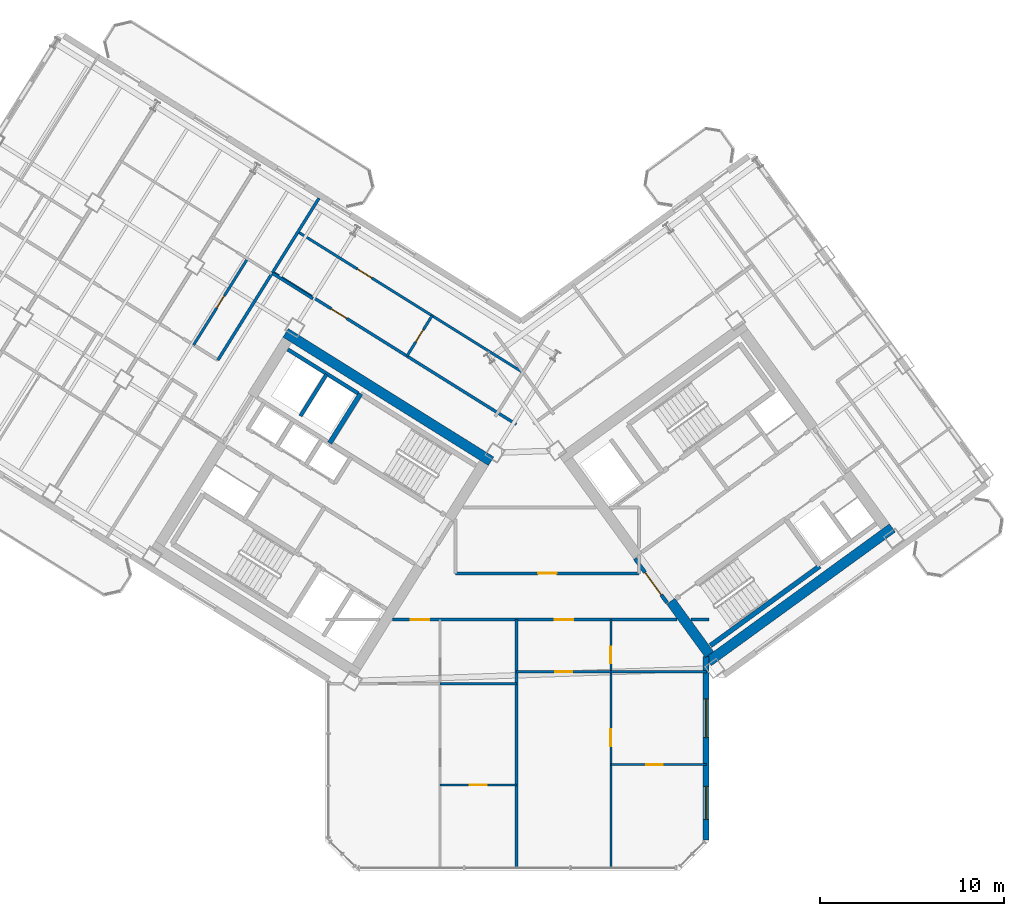
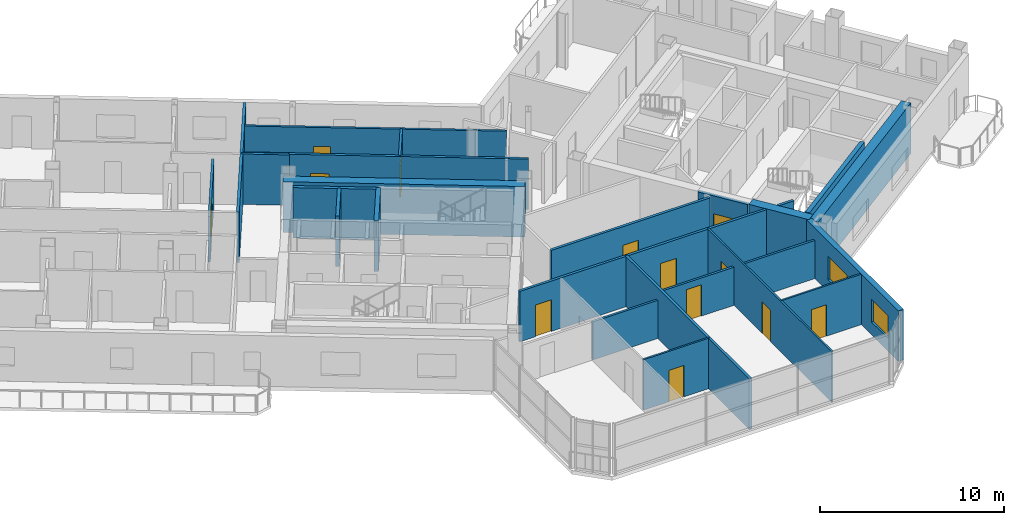
# One storey, part 13 of 20: 25 walls, 13 doors, 2 windows, 15 openings.
"""IFC4 building model written with IfcOpenShell, lengths in metres."""

from ifc_helpers import new_model, si_unit, direction, frame, frame_2d, origin, place, context, subcontext, project, spatial, rectangle, extrude, source, transform, mapped, material, layer, layer_set, type_object, element, fill, save


model = new_model("IFC4")

# Units and contexts
model_context = context("Model", 3, precision=1e-05, world=origin(), true_north=direction((0.0, 1.0)))
body_context = subcontext(model_context, "Body", "Model", "MODEL_VIEW")
ifc_project = project(units=[si_unit("LENGTHUNIT", "METRE"), si_unit("AREAUNIT", "SQUARE_METRE"), si_unit("VOLUMEUNIT", "CUBIC_METRE"), si_unit("PLANEANGLEUNIT", "RADIAN"), si_unit("MASSUNIT", "GRAM", prefix="KILO")], contexts=[model_context])

# Site, building, storey
site_placement = place(None, origin())
site = spatial("IfcSite", under=ifc_project, at=site_placement, CompositionType="ELEMENT")
building_placement = place(site_placement, origin())
building = spatial("IfcBuilding", under=site, at=building_placement, Name="Tlacorven Tower", CompositionType="ELEMENT")
storey_placement = place(building_placement, frame((0.0, 0.0, 187.800048828125)))
storey = spatial("IfcBuildingStorey", under=building, at=storey_placement, Name="L47", CompositionType="ELEMENT", Elevation=187.800048828125)

# Walls
ifc_material_1 = material(Name="Concrete C60/75", Category="concrete")
ifc_layer_1 = layer(ifc_material_1, 0.550048828125)
ifc_layer_set_1 = layer_set([ifc_layer_1], Name="Concrete C60/75")
wall_type_1 = type_object("IfcWallType", Name="WL-COR-550", PredefinedType="SHEAR", material=ifc_layer_set_1)
wall_1_placement = place(storey_placement, frame((40.572998046875, 24.010009765625, 0.0), z_axis=(0.0, 0.0, 1.0), x_axis=(-0.848047359947, 0.529920442413, 0.0)))
element("IfcWall", 1, at=wall_1_placement, inside=storey, type_object=wall_type_1, Name="L47 W core shear wall S1", PredefinedType="SHEAR", context=body_context, shape_type="SweptSolid", body=[
    extrude(rectangle(XDim=13.139892578125, YDim=0.550048828125, at=frame_2d((6.56982421875, 0.0))), origin(), (0.0, 0.0, 1.0), 3.349853515625),
])
wall_2_placement = place(storey_placement, frame((52.35888671875, 13.1396484375, 0.0), z_axis=(0.0, 0.0, 1.0), x_axis=(0.809014896919, 0.587788139183, 0.0)))
element("IfcWall", 2, at=wall_2_placement, inside=storey, type_object=wall_type_1, Name="L47 E core shear wall S1", PredefinedType="SHEAR", context=body_context, shape_type="SweptSolid", body=[
    extrude(rectangle(XDim=12.340087890625, YDim=0.550048828125, at=frame_2d((6.169921875, 0.0))), origin(), (0.0, 0.0, 1.0), 3.349853515625),
])
wall_3_placement = place(storey_placement, frame((52.419677734375, 13.52392578125, 0.0), z_axis=(0.0, 0.0, 1.0), x_axis=(-0.587802113096, 0.809004744015, 0.0)))
element("IfcWall", 3, at=wall_3_placement, inside=storey, type_object=wall_type_1, Name="L47 E core end wall E1.1", PredefinedType="SHEAR", context=body_context, shape_type="SweptSolid", body=[
    extrude(rectangle(XDim=3.574951171875, YDim=0.550048828125, at=frame_2d((1.78759765625, 0.0))), origin(), (0.0, 0.0, 1.0), 3.349853515625),
])
ifc_material_2 = material(Name="Gypsum plasterboard acoustic partition", Category="gypsum")
ifc_layer_2 = layer(ifc_material_2, 0.159912109375)
ifc_layer_set_2 = layer_set([ifc_layer_2], Name="Gypsum plasterboard acoustic partition")
wall_type_2 = type_object("IfcWallType", Name="WL-DEM-160", PredefinedType="PARTITIONING", material=ifc_layer_set_2)
wall_4_placement = place(storey_placement, frame((30.91357421875, 32.82861328125, 0.0), z_axis=(0.0, 0.0, 1.0), x_axis=(-0.848008813643, 0.529982124211, 0.0)))
element("IfcWall", 4, at=wall_4_placement, inside=storey, type_object=wall_type_2, Name="L47 partition 43", PredefinedType="PARTITIONING", context=body_context, shape_type="SweptSolid", body=[
    extrude(rectangle(XDim=2.610107421875, YDim=0.159912109375, at=frame_2d((1.30517578125, 0.0))), origin(), (0.0, 0.0, 1.0), 3.33984375),
])
wall_5_placement = place(storey_placement, frame((31.238525390625, 38.27392578125, 0.0), z_axis=(0.0, 0.0, 1.0), x_axis=(-0.529914125013, -0.848051307476, 0.0)))
element("IfcWall", 5, at=wall_5_placement, inside=storey, type_object=wall_type_2, Name="L47 partition 45", PredefinedType="PARTITIONING", context=body_context, shape_type="SweptSolid", body=[
    extrude(rectangle(XDim=10.35009765625, YDim=0.159912109375, at=frame_2d((5.175048828125, 0.0))), origin(), (0.0, 0.0, 1.0), 3.33984375),
])

# Wall, opening, door
wall_6_placement = place(storey_placement, frame((41.93603515625, 26.011962890625, 0.0), z_axis=(0.0, 0.0, 1.0), x_axis=(-0.848051154596, 0.529914369676, 0.0)))
wall_6 = element("IfcWall", 6, at=wall_6_placement, inside=storey, type_object=wall_type_2, Name="L47 partition 66", PredefinedType="PARTITIONING", context=body_context, shape_type="SweptSolid", body=[
    extrude(rectangle(XDim=15.56982421875, YDim=0.159912109375, at=frame_2d((7.784912109375, 0.0))), origin(), (0.0, 0.0, 1.0), 3.33984375),
])
opening_1_placement = place(wall_6_placement, frame((10.830078125, 0.0, 0.0)))
opening_1 = element("IfcOpeningElement", 7, at=opening_1_placement, cuts=wall_6, Name="Opening D11", PredefinedType="OPENING", context=body_context, shape_type="SweptSolid", body=[
    extrude(rectangle(XDim=1.0, YDim=2.10009765625, at=frame_2d((0.5, 1.050048828125))), frame((0.0, 0.08984375, 0.0), z_axis=(0.0, -1.0, 0.0), x_axis=(1.0, 0.0, 0.0)), (0.0, 0.0, 1.0), 0.179931640625),
])
ifc_material_3 = material(Name="Fire-rated steel door assembly", Category="steel")
door_type_1 = type_object("IfcDoorType", Name="DR-FLT-FD60-1000", OperationType="NOTDEFINED", PredefinedType="DOOR", material=ifc_material_3)
shared_shape_1 = source(origin(), body_context, "Body", "SweptSolid", [
    extrude(rectangle(XDim=1.0, YDim=2.10009765625, at=frame_2d((0.5, 1.050048828125))), frame((0.0, 0.02490234375, 0.0), z_axis=(0.0, -1.0, 0.0), x_axis=(1.0, 0.0, 0.0)), (0.0, 0.0, 1.0), 0.050048828125),
])
door_1_placement = place(opening_1_placement, origin())
door_1 = element("IfcDoor", 8, at=door_1_placement, inside=storey, type_object=door_type_1, Name="L47 door 040", OperationType="SINGLE_SWING_RIGHT", OverallHeight=2.10009765625, OverallWidth=1.0, PredefinedType="DOOR", context=body_context, shape_type="MappedRepresentation", body=[
    mapped(shared_shape_1, transform((0.0, 0.0, 0.0), scale=1.0)),
])
fill(opening_1, door_1)

# Wall, openings, doors
wall_7_placement = place(storey_placement, frame((35.2373046875, 15.419921875, 0.0), z_axis=(0.0, 0.0, 1.0), x_axis=(1.0, 0.0, 0.0)))
wall_7 = element("IfcWall", 9, at=wall_7_placement, inside=storey, type_object=wall_type_2, Name="L47 Knuckle Corridor South Wall", PredefinedType="PARTITIONING", context=body_context, shape_type="SweptSolid", body=[
    extrude(rectangle(XDim=15.431640625, YDim=0.159912109375, at=frame_2d((7.7158203125, 0.0))), origin(), (0.0, 0.0, 1.0), 3.33984375),
])
opening_2_placement = place(wall_7_placement, frame((0.968994140625, 0.0, 0.0)))
opening_2 = element("IfcOpeningElement", 10, at=opening_2_placement, cuts=wall_7, Name="Opening D11", PredefinedType="OPENING", context=body_context, shape_type="SweptSolid", body=[
    extrude(rectangle(XDim=1.0, YDim=2.10009765625, at=frame_2d((0.5, 1.050048828125))), frame((0.0, 0.08984375, 0.0), z_axis=(0.0, -1.0, 0.0), x_axis=(1.0, 0.0, 0.0)), (0.0, 0.0, 1.0), 0.179931640625),
])
opening_3_placement = place(wall_7_placement, frame((8.798583984375, 0.0, 0.0)))
opening_3 = element("IfcOpeningElement", 11, at=opening_3_placement, cuts=wall_7, Name="Opening D11", PredefinedType="OPENING", context=body_context, shape_type="SweptSolid", body=[
    extrude(rectangle(XDim=1.0, YDim=2.10009765625, at=frame_2d((0.5, 1.050048828125))), frame((0.0, 0.08984375, 0.0), z_axis=(0.0, -1.0, 0.0), x_axis=(1.0, 0.0, 0.0)), (0.0, 0.0, 1.0), 0.179931640625),
])
door_2_placement = place(opening_2_placement, frame((1.0, 0.0, 0.0), z_axis=(0.0, 0.0, 1.0), x_axis=(-1.0, 0.0, 0.0)))
door_2 = element("IfcDoor", 12, at=door_2_placement, inside=storey, type_object=door_type_1, Name="L47 door 048", OperationType="SINGLE_SWING_RIGHT", OverallHeight=2.10009765625, OverallWidth=1.0, PredefinedType="DOOR", context=body_context, shape_type="MappedRepresentation", body=[
    mapped(shared_shape_1, transform((0.0, 0.0, 0.0), scale=1.0)),
])
fill(opening_2, door_2)
door_3_placement = place(opening_3_placement, frame((1.0, 0.0, 0.0), z_axis=(0.0, 0.0, 1.0), x_axis=(-1.0, 0.0, 0.0)))
door_3 = element("IfcDoor", 13, at=door_3_placement, inside=storey, type_object=door_type_1, Name="L47 door 053", OperationType="SINGLE_SWING_LEFT", OverallHeight=2.10009765625, OverallWidth=1.0, PredefinedType="DOOR", context=body_context, shape_type="MappedRepresentation", body=[
    mapped(shared_shape_1, transform((0.0, 0.0, 0.0), scale=1.0)),
])
fill(opening_3, door_3)

# Wall
wall_8_placement = place(storey_placement, frame((51.41552734375, 15.419921875, 0.0), z_axis=(0.0, 0.0, 1.0), x_axis=(1.0, 0.0, 0.0)))
element("IfcWall", 14, at=wall_8_placement, inside=storey, type_object=wall_type_2, Name="L47 Knuckle Corridor South Wall", PredefinedType="PARTITIONING", context=body_context, shape_type="SweptSolid", body=[
    extrude(rectangle(XDim=0.984375, YDim=0.159912109375, at=frame_2d((0.4921875, 0.0))), origin(), (0.0, 0.0, 1.0), 3.33984375),
])

# Wall, opening, door
wall_9_placement = place(storey_placement, frame((38.64990234375, 17.929931640625, 0.0), z_axis=(0.0, 0.0, 1.0), x_axis=(1.0, 0.0, 0.0)))
wall_9 = element("IfcWall", 15, at=wall_9_placement, inside=storey, type_object=wall_type_2, Name="L47 partition 72", PredefinedType="PARTITIONING", context=body_context, shape_type="SweptSolid", body=[
    extrude(rectangle(XDim=9.9501953125, YDim=0.159912109375, at=frame_2d((4.97509765625, 0.0))), origin(), (0.0, 0.0, 1.0), 3.33984375),
])
opening_4_placement = place(wall_9_placement, frame((4.47509765625, 0.0, 0.0)))
opening_4 = element("IfcOpeningElement", 16, at=opening_4_placement, cuts=wall_9, Name="Opening D11", PredefinedType="OPENING", context=body_context, shape_type="SweptSolid", body=[
    extrude(rectangle(XDim=1.0, YDim=2.10009765625, at=frame_2d((0.5, 1.050048828125))), frame((0.0, 0.08984375, 0.0), z_axis=(0.0, -1.0, 0.0), x_axis=(1.0, 0.0, 0.0)), (0.0, 0.0, 1.0), 0.179931640625),
])
door_4_placement = place(opening_4_placement, origin())
door_4 = element("IfcDoor", 17, at=door_4_placement, inside=storey, type_object=door_type_1, Name="L47 door 043", OperationType="SINGLE_SWING_LEFT", OverallHeight=2.10009765625, OverallWidth=1.0, PredefinedType="DOOR", context=body_context, shape_type="MappedRepresentation", body=[
    mapped(shared_shape_1, transform((0.0, 0.0, 0.0), scale=1.0)),
])
fill(opening_4, door_4)

# Wall
wall_10_placement = place(storey_placement, frame((41.949951171875, 1.9599609375, 0.0), z_axis=(0.0, 0.0, 1.0), x_axis=(0.0, 1.0, 0.0)))
element("IfcWall", 18, at=wall_10_placement, inside=storey, type_object=wall_type_2, Name="L47 Knuckle Demising Wall 1", PredefinedType="PARTITIONING", context=body_context, shape_type="SweptSolid", body=[
    extrude(rectangle(XDim=13.4599609375, YDim=0.159912109375, at=frame_2d((6.72998046875, 0.0))), origin(), (0.0, 0.0, 1.0), 3.33984375),
])

# Wall, openings, windows
ifc_material_4 = material(Name="Precast concrete C45/55", Category="concrete")
ifc_layer_3 = layer(ifc_material_4, 0.320068359375)
ifc_layer_set_3 = layer_set([ifc_layer_3], Name="Precast concrete C45/55")
wall_type_3 = type_object("IfcWallType", Name="WL-EXT-320", PredefinedType="STANDARD", material=ifc_layer_set_3)
wall_11_placement = place(storey_placement, frame((52.239990234375, 13.4140625, 0.0), z_axis=(0.0, 0.0, 1.0), x_axis=(0.0, -1.0, 0.0)))
wall_11 = element("IfcWall", 19, at=wall_11_placement, inside=storey, type_object=wall_type_3, Name="L47 Masonry-Frame Recessed Facade Wall 7", PredefinedType="STANDARD", context=body_context, shape_type="SweptSolid", body=[
    extrude(rectangle(XDim=9.94775390625, YDim=0.320068359375, at=frame_2d((4.973876953125, 0.0))), origin(), (0.0, 0.0, 1.0), 3.349853515625),
])
opening_5_placement = place(wall_11_placement, frame((2.29638671875, 0.0, 0.800048828125)))
opening_5 = element("IfcOpeningElement", 20, at=opening_5_placement, cuts=wall_11, Name="Opening WN04", PredefinedType="OPENING", context=body_context, shape_type="SweptSolid", body=[
    extrude(rectangle(XDim=2.10009765625, YDim=1.550048828125, at=frame_2d((1.050048828125, 0.77490234375))), frame((0.0, 0.169921875, 0.0), z_axis=(0.0, -1.0, 0.0), x_axis=(1.0, 0.0, 0.0)), (0.0, 0.0, 1.0), 0.340087890625),
])
opening_6_placement = place(wall_11_placement, frame((7.033447265625, 0.0, 0.85009765625)))
opening_6 = element("IfcOpeningElement", 21, at=opening_6_placement, cuts=wall_11, Name="Opening WN01", PredefinedType="OPENING", context=body_context, shape_type="SweptSolid", body=[
    extrude(rectangle(XDim=1.800048828125, YDim=1.5, at=frame_2d((0.89990234375, 0.75))), frame((0.0, 0.169921875, 0.0), z_axis=(0.0, -1.0, 0.0), x_axis=(1.0, 0.0, 0.0)), (0.0, 0.0, 1.0), 0.340087890625),
])
ifc_material_5 = material(Name="Dark solar low-E double glazing in anodised aluminium frame", Category="aluminium")
window_type_1 = type_object("IfcWindowType", Name="WN-APT-2100X1750", PartitioningType="SINGLE_PANEL", PredefinedType="WINDOW", material=ifc_material_5)
shared_shape_2 = source(origin(), body_context, "Body", "SweptSolid", [
    extrude(rectangle(XDim=2.10009765625, YDim=1.550048828125, at=frame_2d((1.050048828125, 0.77490234375))), frame((0.0, 0.030029296875, 0.0), z_axis=(0.0, -1.0, 0.0), x_axis=(1.0, 0.0, 0.0)), (0.0, 0.0, 1.0), 0.06005859375),
])
window_1_placement = place(opening_5_placement, origin())
window_1 = element("IfcWindow", 22, at=window_1_placement, inside=storey, type_object=window_type_1, Name="L47 Recessed Masonry-Frame Window L47-07.1", OverallHeight=1.550048828125, OverallWidth=2.10009765625, PartitioningType="SINGLE_PANEL", PredefinedType="WINDOW", context=body_context, shape_type="MappedRepresentation", body=[
    mapped(shared_shape_2, transform((0.0, 0.0, 0.0), scale=1.0)),
])
fill(opening_5, window_1)
window_type_2 = type_object("IfcWindowType", Name="WN-APT-1800X1650", PartitioningType="SINGLE_PANEL", PredefinedType="WINDOW", material=ifc_material_5)
shared_shape_3 = source(origin(), body_context, "Body", "SweptSolid", [
    extrude(rectangle(XDim=1.800048828125, YDim=1.5, at=frame_2d((0.89990234375, 0.75))), frame((0.0, 0.030029296875, 0.0), z_axis=(0.0, -1.0, 0.0), x_axis=(1.0, 0.0, 0.0)), (0.0, 0.0, 1.0), 0.06005859375),
])
window_2_placement = place(opening_6_placement, origin())
window_2 = element("IfcWindow", 23, at=window_2_placement, inside=storey, type_object=window_type_2, Name="L47 Recessed Masonry-Frame Window L47-07.2", OverallHeight=1.5, OverallWidth=1.800048828125, PartitioningType="SINGLE_PANEL", PredefinedType="WINDOW", context=body_context, shape_type="MappedRepresentation", body=[
    mapped(shared_shape_3, transform((0.0, 0.0, 0.0), scale=1.0)),
])
fill(opening_6, window_2)

# Wall, opening, door
ifc_material_6 = material(Name="Gypsum plasterboard partition", Category="gypsum")
ifc_layer_4 = layer(ifc_material_6, 0.110107421875)
ifc_layer_set_4 = layer_set([ifc_layer_4], Name="Gypsum plasterboard partition")
wall_type_4 = type_object("IfcWallType", Name="WL-INT-110", PredefinedType="PARTITIONING", material=ifc_layer_set_4)
wall_12_placement = place(storey_placement, frame((37.81298828125, 6.449951171875, 0.0), z_axis=(0.0, 0.0, 1.0), x_axis=(1.0, 0.0, 0.0)))
wall_12 = element("IfcWall", 24, at=wall_12_placement, inside=storey, type_object=wall_type_4, Name="L47 partition 81", PredefinedType="PARTITIONING", context=body_context, shape_type="SweptSolid", body=[
    extrude(rectangle(XDim=4.136962890625, YDim=0.110107421875, at=frame_2d((2.068359375, 0.0))), origin(), (0.0, 0.0, 1.0), 3.33984375),
])
opening_7_placement = place(wall_12_placement, frame((1.6083984375, 0.0, 0.0)))
opening_7 = element("IfcOpeningElement", 25, at=opening_7_placement, cuts=wall_12, Name="Opening D12", PredefinedType="OPENING", context=body_context, shape_type="SweptSolid", body=[
    extrude(rectangle(XDim=0.919921875, YDim=2.080078125, at=frame_2d((0.4599609375, 1.0400390625))), frame((0.0, 0.06494140625, 0.0), z_axis=(0.0, -1.0, 0.0), x_axis=(1.0, 0.0, 0.0)), (0.0, 0.0, 1.0), 0.130126953125),
])
ifc_material_7 = material(Name="Powder-coated aluminium and timber door", Category="wood")
door_type_2 = type_object("IfcDoorType", Name="DR-INT-ROOM-0920", OperationType="NOTDEFINED", PredefinedType="DOOR", material=ifc_material_7)
shared_shape_4 = source(origin(), body_context, "Body", "SweptSolid", [
    extrude(rectangle(XDim=0.919921875, YDim=2.080078125, at=frame_2d((0.4599609375, 1.0400390625))), frame((0.0, 0.02490234375, 0.0), z_axis=(0.0, -1.0, 0.0), x_axis=(1.0, 0.0, 0.0)), (0.0, 0.0, 1.0), 0.050048828125),
])
door_5_placement = place(opening_7_placement, origin())
door_5 = element("IfcDoor", 26, at=door_5_placement, inside=storey, type_object=door_type_2, Name="L47 door 047", OperationType="SINGLE_SWING_LEFT", OverallHeight=2.080078125, OverallWidth=0.919921875, PredefinedType="DOOR", context=body_context, shape_type="MappedRepresentation", body=[
    mapped(shared_shape_4, transform((0.0, 0.0, 0.0), scale=1.0)),
])
fill(opening_7, door_5)

# Wall, openings, doors
wall_13_placement = place(storey_placement, frame((47.072021484375, 1.9599609375, 0.0), z_axis=(0.0, 0.0, 1.0), x_axis=(0.0, 1.0, 0.0)))
wall_13 = element("IfcWall", 27, at=wall_13_placement, inside=storey, type_object=wall_type_4, Name="L47 partition 82", PredefinedType="PARTITIONING", context=body_context, shape_type="SweptSolid", body=[
    extrude(rectangle(XDim=13.4599609375, YDim=0.110107421875, at=frame_2d((6.72998046875, 0.0))), origin(), (0.0, 0.0, 1.0), 3.33984375),
])
opening_8_placement = place(wall_13_placement, frame((6.60009765625, 0.0, 0.0)))
opening_8 = element("IfcOpeningElement", 28, at=opening_8_placement, cuts=wall_13, Name="Opening D12", PredefinedType="OPENING", context=body_context, shape_type="SweptSolid", body=[
    extrude(rectangle(XDim=0.919921875, YDim=2.080078125, at=frame_2d((0.4599609375, 1.0400390625))), frame((0.0, 0.06494140625, 0.0), z_axis=(0.0, -1.0, 0.0), x_axis=(1.0, 0.0, 0.0)), (0.0, 0.0, 1.0), 0.130126953125),
])
opening_9_placement = place(wall_13_placement, frame((11.10009765625, 0.0, 0.0)))
opening_9 = element("IfcOpeningElement", 29, at=opening_9_placement, cuts=wall_13, Name="Opening D13", PredefinedType="OPENING", context=body_context, shape_type="SweptSolid", body=[
    extrude(rectangle(XDim=0.8798828125, YDim=2.080078125, at=frame_2d((0.43994140625, 1.0400390625))), frame((0.0, 0.06494140625, 0.0), z_axis=(0.0, -1.0, 0.0), x_axis=(1.0, 0.0, 0.0)), (0.0, 0.0, 1.0), 0.130126953125),
])
door_type_3 = type_object("IfcDoorType", Name="DR-INT-WET-0880", OperationType="NOTDEFINED", PredefinedType="DOOR", material=ifc_material_7)
shared_shape_5 = source(origin(), body_context, "Body", "SweptSolid", [
    extrude(rectangle(XDim=0.8798828125, YDim=2.080078125, at=frame_2d((0.43994140625, 1.0400390625))), frame((0.0, 0.02490234375, 0.0), z_axis=(0.0, -1.0, 0.0), x_axis=(1.0, 0.0, 0.0)), (0.0, 0.0, 1.0), 0.050048828125),
])
door_6_placement = place(opening_9_placement, origin())
door_6 = element("IfcDoor", 30, at=door_6_placement, inside=storey, type_object=door_type_3, Name="L47 door 055", OperationType="SINGLE_SWING_LEFT", OverallHeight=2.080078125, OverallWidth=0.8798828125, PredefinedType="DOOR", context=body_context, shape_type="MappedRepresentation", body=[
    mapped(shared_shape_5, transform((0.0, 0.0, 0.0), scale=1.0)),
])
fill(opening_9, door_6)
door_7_placement = place(opening_8_placement, origin())
door_7 = element("IfcDoor", 31, at=door_7_placement, inside=storey, type_object=door_type_2, Name="L47 door 051", OperationType="SINGLE_SWING_LEFT", OverallHeight=2.080078125, OverallWidth=0.919921875, PredefinedType="DOOR", context=body_context, shape_type="MappedRepresentation", body=[
    mapped(shared_shape_4, transform((0.0, 0.0, 0.0), scale=1.0)),
])
fill(opening_8, door_7)

# Wall, opening, door
wall_14_placement = place(storey_placement, frame((47.072021484375, 7.550048828125, 0.0), z_axis=(0.0, 0.0, 1.0), x_axis=(1.0, 0.0, 0.0)))
wall_14 = element("IfcWall", 32, at=wall_14_placement, inside=storey, type_object=wall_type_4, Name="L47 partition 85", PredefinedType="PARTITIONING", context=body_context, shape_type="SweptSolid", body=[
    extrude(rectangle(XDim=5.18798828125, YDim=0.110107421875, at=frame_2d((2.593994140625, 0.0))), origin(), (0.0, 0.0, 1.0), 3.33984375),
])
opening_10_placement = place(wall_14_placement, frame((1.904052734375, 0.0, 0.0)))
opening_10 = element("IfcOpeningElement", 33, at=opening_10_placement, cuts=wall_14, Name="Opening D12", PredefinedType="OPENING", context=body_context, shape_type="SweptSolid", body=[
    extrude(rectangle(XDim=0.919921875, YDim=2.080078125, at=frame_2d((0.4599609375, 1.0400390625))), frame((0.0, 0.06494140625, 0.0), z_axis=(0.0, -1.0, 0.0), x_axis=(1.0, 0.0, 0.0)), (0.0, 0.0, 1.0), 0.130126953125),
])
door_8_placement = place(opening_10_placement, origin())
door_8 = element("IfcDoor", 34, at=door_8_placement, inside=storey, type_object=door_type_2, Name="L47 door 052", OperationType="SINGLE_SWING_RIGHT", OverallHeight=2.080078125, OverallWidth=0.919921875, PredefinedType="DOOR", context=body_context, shape_type="MappedRepresentation", body=[
    mapped(shared_shape_4, transform((0.0, 0.0, 0.0), scale=1.0)),
])
fill(opening_10, door_8)

ifc_material_8 = material(Name="Moisture-resistant gypsum plumbing wall", Category="gypsum")
ifc_layer_5 = layer(ifc_material_8, 0.139892578125)
ifc_layer_set_5 = layer_set([ifc_layer_5], Name="Moisture-resistant gypsum plumbing wall")
wall_type_5 = type_object("IfcWallType", Name="WL-PLM-140", PredefinedType="PLUMBINGWALL", material=ifc_layer_set_5)
wall_15_placement = place(storey_placement, frame((27.359130859375, 34.99072265625, 0.0), z_axis=(0.0, 0.0, 1.0), x_axis=(-0.529907329021, -0.848055553988, 0.0)))
wall_15 = element("IfcWall", 35, at=wall_15_placement, inside=storey, type_object=wall_type_5, Name="L47 partition 60", PredefinedType="PLUMBINGWALL", context=body_context, shape_type="SweptSolid", body=[
    extrude(rectangle(XDim=5.509765625, YDim=0.139892578125, at=frame_2d((2.7548828125, 0.0))), origin(), (0.0, 0.0, 1.0), 2.994873046875),
])
opening_11_placement = place(wall_15_placement, frame((2.364990234375, 0.0, 0.0)))
opening_11 = element("IfcOpeningElement", 36, at=opening_11_placement, cuts=wall_15, Name="Opening D22", PredefinedType="OPENING", context=body_context, shape_type="SweptSolid", body=[
    extrude(rectangle(XDim=0.780029296875, YDim=2.050048828125, at=frame_2d((0.39013671875, 1.02490234375))), frame((0.0, 0.080078125, 0.0), z_axis=(0.0, -1.0, 0.0), x_axis=(1.0, 0.0, 0.0)), (0.0, 0.0, 1.0), 0.159912109375),
])
door_type_4 = type_object("IfcDoorType", Name="DR-INT-WET-0780", OperationType="NOTDEFINED", PredefinedType="DOOR", material=ifc_material_7)
shared_shape_6 = source(origin(), body_context, "Body", "SweptSolid", [
    extrude(rectangle(XDim=0.780029296875, YDim=2.050048828125, at=frame_2d((0.39013671875, 1.02490234375))), frame((0.0, 0.02490234375, 0.0), z_axis=(0.0, -1.0, 0.0), x_axis=(1.0, 0.0, 0.0)), (0.0, 0.0, 1.0), 0.050048828125),
])
door_9_placement = place(opening_11_placement, origin())
door_9 = element("IfcDoor", 37, at=door_9_placement, inside=storey, type_object=door_type_4, Name="L47 door 033", OperationType="SINGLE_SWING_LEFT", OverallHeight=2.050048828125, OverallWidth=0.780029296875, PredefinedType="DOOR", context=body_context, shape_type="MappedRepresentation", body=[
    mapped(shared_shape_6, transform((0.0, 0.0, 0.0), scale=1.0)),
])
fill(opening_11, door_9)

wall_16_placement = place(storey_placement, frame((42.226318359375, 28.872802734375, 0.0), z_axis=(0.0, 0.0, 1.0), x_axis=(-0.848049134363, 0.529917602752, 0.0)))
wall_16 = element("IfcWall", 38, at=wall_16_placement, inside=storey, type_object=wall_type_5, Name="L47 partition 68", PredefinedType="PLUMBINGWALL", context=body_context, shape_type="SweptSolid", body=[
    extrude(rectangle(XDim=14.300048828125, YDim=0.139892578125, at=frame_2d((7.14990234375, 0.0))), origin(), (0.0, 0.0, 1.0), 3.33984375),
])
opening_12_placement = place(wall_16_placement, frame((9.570068359375, 0.0, 0.0)))
opening_12 = element("IfcOpeningElement", 39, at=opening_12_placement, cuts=wall_16, Name="Opening D12", PredefinedType="OPENING", context=body_context, shape_type="SweptSolid", body=[
    extrude(rectangle(XDim=0.919921875, YDim=2.080078125, at=frame_2d((0.4599609375, 1.0400390625))), frame((0.0, 0.080078125, 0.0), z_axis=(0.0, -1.0, 0.0), x_axis=(1.0, 0.0, 0.0)), (0.0, 0.0, 1.0), 0.159912109375),
])
door_10_placement = place(opening_12_placement, origin())
door_10 = element("IfcDoor", 40, at=door_10_placement, inside=storey, type_object=door_type_2, Name="L47 door 041", OperationType="SINGLE_SWING_LEFT", OverallHeight=2.080078125, OverallWidth=0.919921875, PredefinedType="DOOR", context=body_context, shape_type="MappedRepresentation", body=[
    mapped(shared_shape_4, transform((0.0, 0.0, 0.0), scale=1.0)),
])
fill(opening_12, door_10)

wall_17_placement = place(storey_placement, frame((37.37548828125, 31.904052734375, 0.0), z_axis=(0.0, 0.0, 1.0), x_axis=(-0.529913878929, -0.848051461244, 0.0)))
wall_17 = element("IfcWall", 41, at=wall_17_placement, inside=storey, type_object=wall_type_5, Name="L47 partition 69", PredefinedType="PLUMBINGWALL", context=body_context, shape_type="SweptSolid", body=[
    extrude(rectangle(XDim=2.580078125, YDim=0.139892578125, at=frame_2d((1.2900390625, 0.0))), origin(), (0.0, 0.0, 1.0), 3.33984375),
])
opening_13_placement = place(wall_17_placement, frame((0.89990234375, 0.0, 0.0)))
opening_13 = element("IfcOpeningElement", 42, at=opening_13_placement, cuts=wall_17, Name="Opening D22", PredefinedType="OPENING", context=body_context, shape_type="SweptSolid", body=[
    extrude(rectangle(XDim=0.780029296875, YDim=2.050048828125, at=frame_2d((0.39013671875, 1.02490234375))), frame((0.0, 0.080078125, 0.0), z_axis=(0.0, -1.0, 0.0), x_axis=(1.0, 0.0, 0.0)), (0.0, 0.0, 1.0), 0.159912109375),
])
door_11_placement = place(opening_13_placement, origin())
door_11 = element("IfcDoor", 43, at=door_11_placement, inside=storey, type_object=door_type_4, Name="L47 door 042", OperationType="SINGLE_SWING_RIGHT", OverallHeight=2.050048828125, OverallWidth=0.780029296875, PredefinedType="DOOR", context=body_context, shape_type="MappedRepresentation", body=[
    mapped(shared_shape_6, transform((0.0, 0.0, 0.0), scale=1.0)),
])
fill(opening_13, door_11)

# Wall
wall_18_placement = place(storey_placement, frame((37.81298828125, 11.949951171875, 0.0), z_axis=(0.0, 0.0, 1.0), x_axis=(1.0, 0.0, 0.0)))
element("IfcWall", 44, at=wall_18_placement, inside=storey, type_object=wall_type_5, Name="L47 partition 80", PredefinedType="PLUMBINGWALL", context=body_context, shape_type="SweptSolid", body=[
    extrude(rectangle(XDim=4.136962890625, YDim=0.139892578125, at=frame_2d((2.068359375, 0.0))), origin(), (0.0, 0.0, 1.0), 2.52490234375),
])

# Wall, opening, door
wall_19_placement = place(storey_placement, frame((41.949951171875, 12.60009765625, 0.0), z_axis=(0.0, 0.0, 1.0), x_axis=(1.0, 0.0, 0.0)))
wall_19 = element("IfcWall", 45, at=wall_19_placement, inside=storey, type_object=wall_type_5, Name="L47 partition 83", PredefinedType="PLUMBINGWALL", context=body_context, shape_type="SweptSolid", body=[
    extrude(rectangle(XDim=5.1220703125, YDim=0.139892578125, at=frame_2d((2.56103515625, 0.0))), origin(), (0.0, 0.0, 1.0), 2.52490234375),
])
opening_14_placement = place(wall_19_placement, frame((2.10107421875, 0.0, 0.0)))
opening_14 = element("IfcOpeningElement", 46, at=opening_14_placement, cuts=wall_19, Name="Opening D12", PredefinedType="OPENING", context=body_context, shape_type="SweptSolid", body=[
    extrude(rectangle(XDim=0.919921875, YDim=2.080078125, at=frame_2d((0.4599609375, 1.0400390625))), frame((0.0, 0.080078125, 0.0), z_axis=(0.0, -1.0, 0.0), x_axis=(1.0, 0.0, 0.0)), (0.0, 0.0, 1.0), 0.159912109375),
])
door_12_placement = place(opening_14_placement, frame((0.919921875, 0.0, 0.0), z_axis=(0.0, 0.0, 1.0), x_axis=(-1.0, 0.0, 0.0)))
door_12 = element("IfcDoor", 47, at=door_12_placement, inside=storey, type_object=door_type_2, Name="L47 door 054", OperationType="SINGLE_SWING_RIGHT", OverallHeight=2.080078125, OverallWidth=0.919921875, PredefinedType="DOOR", context=body_context, shape_type="MappedRepresentation", body=[
    mapped(shared_shape_4, transform((0.0, 0.0, 0.0), scale=1.0)),
])
fill(opening_14, door_12)

# Walls
wall_20_placement = place(storey_placement, frame((47.072021484375, 12.60009765625, 0.0), z_axis=(0.0, 0.0, 1.0), x_axis=(1.0, 0.0, 0.0)))
element("IfcWall", 48, at=wall_20_placement, inside=storey, type_object=wall_type_5, Name="L47 partition 84", PredefinedType="PLUMBINGWALL", context=body_context, shape_type="SweptSolid", body=[
    extrude(rectangle(XDim=5.18798828125, YDim=0.139892578125, at=frame_2d((2.593994140625, 0.0))), origin(), (0.0, 0.0, 1.0), 2.52490234375),
])
ifc_material_9 = material(Name="Concrete C40/50", Category="concrete")
ifc_layer_6 = layer(ifc_material_9, 0.199951171875)
ifc_layer_set_6 = layer_set([ifc_layer_6], Name="Concrete C40/50")
wall_type_6 = type_object("IfcWallType", Name="WL-SHF-200", PredefinedType="STANDARD", material=ifc_layer_set_6)
wall_21_placement = place(storey_placement, frame((31.645263671875, 28.716064453125, 0.0), z_axis=(0.0, 0.0, 1.0), x_axis=(-0.52986693015, -0.848080795876, 0.0)))
element("IfcWall", 49, at=wall_21_placement, inside=storey, type_object=wall_type_6, Name="L47 partition 15", PredefinedType="STANDARD", context=body_context, shape_type="SweptSolid", body=[
    extrude(rectangle(XDim=2.659912109375, YDim=0.199951171875, at=frame_2d((1.330078125, 0.0))), origin(), (0.0, 0.0, 1.0), 3.33984375),
])
wall_22_placement = place(storey_placement, frame((33.362548828125, 27.690185546875, 0.0), z_axis=(0.0, 0.0, 1.0), x_axis=(-0.848047090064, 0.529920874315, 0.0)))
element("IfcWall", 50, at=wall_22_placement, inside=storey, type_object=wall_type_6, Name="L47 partition 17", PredefinedType="STANDARD", context=body_context, shape_type="SweptSolid", body=[
    extrude(rectangle(XDim=4.498046875, YDim=0.199951171875, at=frame_2d((2.2490234375, 0.0))), origin(), (0.0, 0.0, 1.0), 3.33984375),
])

# Wall, opening, door
wall_23_placement = place(storey_placement, frame((50.119140625, 16.3330078125, 0.0), z_axis=(0.0, 0.0, 1.0), x_axis=(-0.587749856981, 0.809042709391, 0.0)))
wall_23 = element("IfcWall", 51, at=wall_23_placement, inside=storey, type_object=wall_type_6, Name="L47 partition 76", PredefinedType="STANDARD", context=body_context, shape_type="SweptSolid", body=[
    extrude(rectangle(XDim=2.9599609375, YDim=0.199951171875, at=frame_2d((1.47998046875, 0.0))), origin(), (0.0, 0.0, 1.0), 3.33984375),
])
opening_15_placement = place(wall_23_placement, frame((0.530029296875, 0.0, 0.0)))
opening_15 = element("IfcOpeningElement", 52, at=opening_15_placement, cuts=wall_23, Name="Opening D10", PredefinedType="OPENING", context=body_context, shape_type="SweptSolid", body=[
    extrude(rectangle(XDim=1.5, YDim=2.14990234375, at=frame_2d((0.75, 1.074951171875))), frame((0.0, 0.10986328125, 0.0), z_axis=(0.0, -1.0, 0.0), x_axis=(1.0, 0.0, 0.0)), (0.0, 0.0, 1.0), 0.219970703125),
])
door_type_5 = type_object("IfcDoorType", Name="DR-LOB-FD60-1500", OperationType="DOUBLE_DOOR_SINGLE_SWING", PredefinedType="DOOR", material=ifc_material_3)
shared_shape_7 = source(origin(), body_context, "Body", "SweptSolid", [
    extrude(rectangle(XDim=1.5, YDim=2.14990234375, at=frame_2d((0.75, 1.074951171875))), frame((0.0, 0.02490234375, 0.0), z_axis=(0.0, -1.0, 0.0), x_axis=(1.0, 0.0, 0.0)), (0.0, 0.0, 1.0), 0.050048828125),
])
door_13_placement = place(opening_15_placement, frame((1.5, 0.0, 0.0), z_axis=(0.0, 0.0, 1.0), x_axis=(-1.0, 0.0, 0.0)))
door_13 = element("IfcDoor", 53, at=door_13_placement, inside=storey, type_object=door_type_5, Name="L47 door 045", OperationType="DOUBLE_DOOR_SINGLE_SWING", OverallHeight=2.14990234375, OverallWidth=1.5, PredefinedType="DOOR", context=body_context, shape_type="MappedRepresentation", body=[
    mapped(shared_shape_7, transform((0.0, 0.0, 0.0), scale=1.0)),
])
fill(opening_15, door_13)

# Walls
ifc_material_10 = material(Name="Concrete C50/60", Category="concrete")
ifc_layer_7 = layer(ifc_material_10, 0.260009765625)
ifc_layer_set_7 = layer_set([ifc_layer_7], Name="Concrete C50/60")
wall_type_7 = type_object("IfcWallType", Name="WL-STW-260", PredefinedType="SHEAR", material=ifc_layer_set_7)
wall_24_placement = place(storey_placement, frame((33.496337890625, 27.677490234375, 0.0), z_axis=(0.0, 0.0, 1.0), x_axis=(-0.529908658664, -0.84805472316, 0.0)))
element("IfcWall", 54, at=wall_24_placement, inside=storey, type_object=wall_type_7, Name="L47 Stair W2 East Shear Wall", PredefinedType="SHEAR", context=body_context, shape_type="SweptSolid", body=[
    extrude(rectangle(XDim=3.16015625, YDim=0.260009765625, at=frame_2d((1.580078125, 0.0))), origin(), (0.0, 0.0, 1.0), 3.349853515625),
])
wall_25_placement = place(storey_placement, frame((52.47216796875, 14.01318359375, 0.0), z_axis=(0.0, 0.0, 1.0), x_axis=(0.809028366311, 0.587769599847, 0.0)))
element("IfcWall", 55, at=wall_25_placement, inside=storey, type_object=wall_type_7, Name="L47 Stair E2 Far Shear Wall", PredefinedType="SHEAR", context=body_context, shape_type="SweptSolid", body=[
    extrude(rectangle(XDim=7.330078125, YDim=0.260009765625, at=frame_2d((3.6650390625, 0.0))), origin(), (0.0, 0.0, 1.0), 3.349853515625),
])

save(model, "model.ifc")
